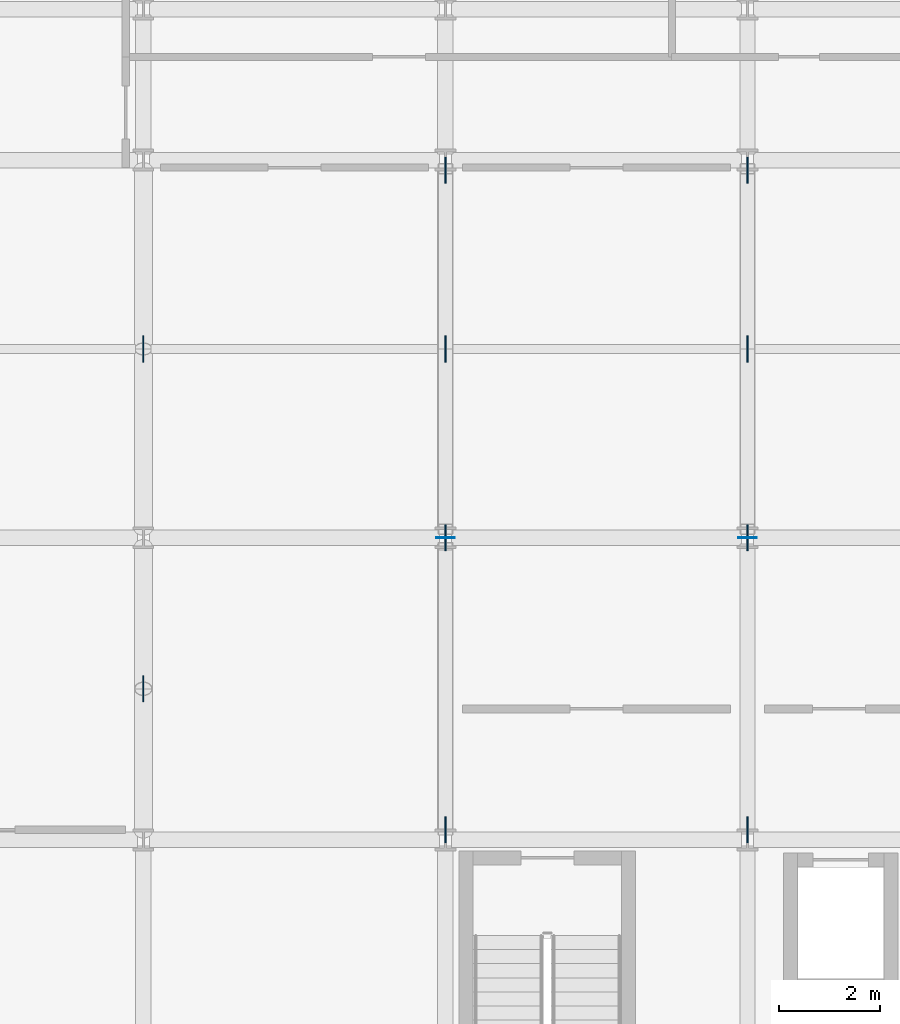
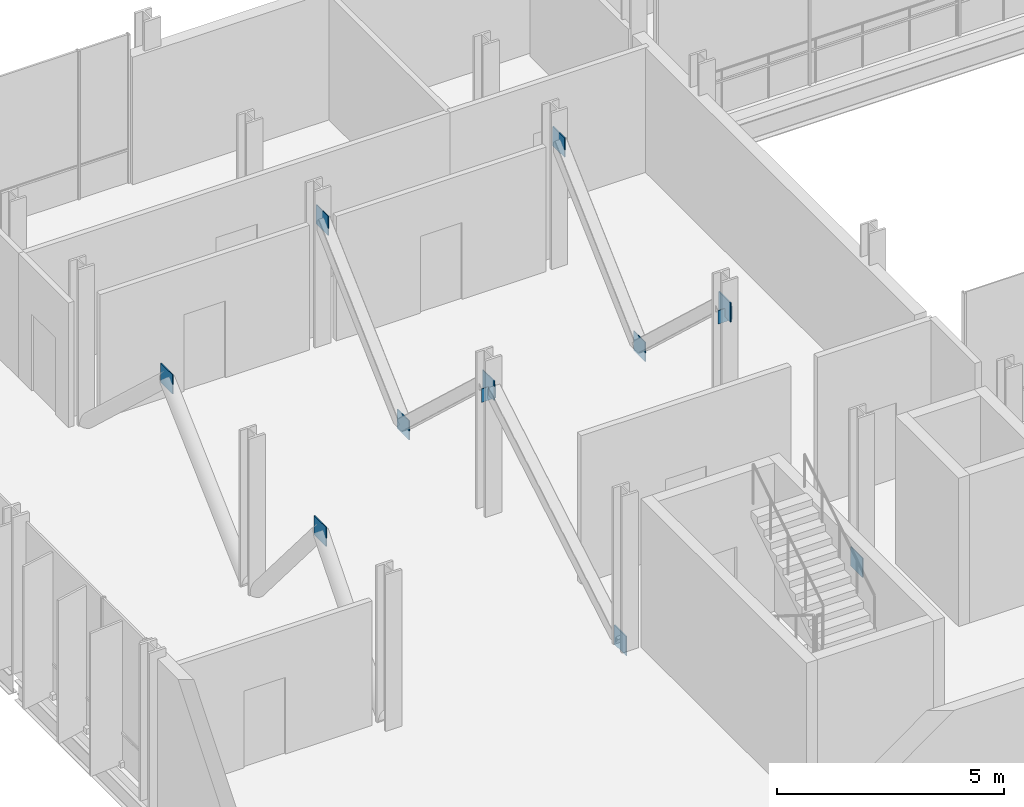
# One storey, part 24 of 32: 12 plates.
"""IFC4 building model written with IfcOpenShell, lengths in metres."""

from ifc_helpers import new_model, si_unit, direction, frame, origin, origin_2d, place, context, subcontext, project, spatial, rectangle, extrude, material, layer, layer_set, type_object, element, save


model = new_model("IFC4")

# Units and contexts
model_context = context("Model", 3, precision=1e-05, world=origin(), true_north=direction((0.0, 1.0)))
body_context = subcontext(model_context, "Body", "Model", "MODEL_VIEW")
ifc_project = project(units=[si_unit("LENGTHUNIT", "METRE"), si_unit("AREAUNIT", "SQUARE_METRE"), si_unit("VOLUMEUNIT", "CUBIC_METRE"), si_unit("PLANEANGLEUNIT", "RADIAN"), si_unit("MASSUNIT", "GRAM", prefix="KILO")], contexts=[model_context])

# Site, building, storey
site_placement = place(None, origin())
site = spatial("IfcSite", under=ifc_project, at=site_placement, CompositionType="ELEMENT")
building_placement = place(site_placement, origin())
building = spatial("IfcBuilding", under=site, at=building_placement, Name="Brevholm Reach", CompositionType="ELEMENT")
storey_placement = place(building_placement, frame((0.0, 0.0, 96.199951171875)))
storey = spatial("IfcBuildingStorey", under=building, at=storey_placement, Name="L28", CompositionType="ELEMENT", Elevation=96.199951171875)

# Plates
ifc_material_1 = material(Name="Structural Steel S460NH", Category="steel")
ifc_layer_1 = layer(ifc_material_1, 0.013916015625)
ifc_layer_set_1 = layer_set([ifc_layer_1], Name="Structural Steel S460NH")
plate_type_1 = type_object("IfcPlateType", Name="PLT-CAP-14", PredefinedType="USERDEFINED", material=ifc_layer_set_1)
for number, where, z_axis, x_axis, name in (
    (1, (12.0, 16.0, 2.95263671875), (0.0, 0.0, 1.0), (1.0, 0.0, 0.0), "L28 Outrigger Chord End-Cap X12"),
    (2, (18.0, 16.0, 2.95263671875), (0.0, 0.0, 1.0), (1.0, 0.0, 0.0), "L28 Outrigger Chord End-Cap X18"),
):
    element("IfcPlate", number, at=place(storey_placement, frame(where, z_axis=z_axis, x_axis=x_axis)), inside=storey, type_object=plate_type_1, Name=name, ObjectType="STIFFENER_PLATE", PredefinedType="USERDEFINED", context=body_context, shape_type="SweptSolid", body=[
        extrude(rectangle(XDim=0.360107421875, YDim=0.013916015625, at=origin_2d()), origin(), (0.0, 0.0, 1.0), 0.360107421875),
    ])
ifc_material_2 = material(Name="Structural Steel S355J2", Category="steel")
ifc_layer_2 = layer(ifc_material_2, 0.02392578125)
ifc_layer_set_2 = layer_set([ifc_layer_2], Name="Structural Steel S355J2")
plate_type_2 = type_object("IfcPlateType", Name="PLT-GUS-24", PredefinedType="USERDEFINED", material=ifc_layer_set_2)
for number, where, z_axis, x_axis, name in (
    (3, (12.0, 10.199951171875, -0.239990234375), (0.0, 0.0, 1.0), (1.0, 0.0, 0.0), "L28 Outrigger Node Gusset X12-10"),
    (4, (12.0, 16.0, 3.0927734375), (0.0, 0.0, 1.0), (1.0, 0.0, 0.0), "L28 Outrigger Node Gusset X12-16"),
    (5, (12.0, 19.75, -0.239990234375), (0.0, 0.0, 1.0), (1.0, 0.0, 0.0), "L28 Outrigger Node Gusset X12-19"),
    (6, (12.0, 23.300048828125, 3.0927734375), (0.0, 0.0, 1.0), (1.0, 0.0, 0.0), "L28 Outrigger Node Gusset X12-23"),
    (7, (18.0, 10.199951171875, -0.239990234375), (0.0, 0.0, 1.0), (1.0, 0.0, 0.0), "L28 Outrigger Node Gusset X18-10"),
    (8, (18.0, 16.0, 3.0927734375), (0.0, 0.0, 1.0), (1.0, 0.0, 0.0), "L28 Outrigger Node Gusset X18-16"),
    (9, (18.0, 19.75, -0.239990234375), (0.0, 0.0, 1.0), (1.0, 0.0, 0.0), "L28 Outrigger Node Gusset X18-19"),
    (10, (18.0, 23.300048828125, 3.0927734375), (0.0, 0.0, 1.0), (1.0, 0.0, 0.0), "L28 Outrigger Node Gusset X18-23"),
    (11, (6.0, 13.0, 3.0927734375), (0.0, 0.0, 1.0), (1.0, 0.0, 0.0), "L28 Belt Truss Apex Gusset BB-01"),
    (12, (6.0, 19.75, 3.0927734375), (0.0, 0.0, 1.0), (1.0, 0.0, 0.0), "L28 Belt Truss Apex Gusset BB-02"),
):
    element("IfcPlate", number, at=place(storey_placement, frame(where, z_axis=z_axis, x_axis=x_axis)), inside=storey, type_object=plate_type_2, Name=name, ObjectType="GUSSET_PLATE", PredefinedType="USERDEFINED", context=body_context, shape_type="SweptSolid", body=[
        extrude(rectangle(XDim=0.02392578125, YDim=0.52001953125, at=origin_2d()), origin(), (0.0, 0.0, 1.0), 0.52001953125),
    ])

save(model, "model.ifc")
